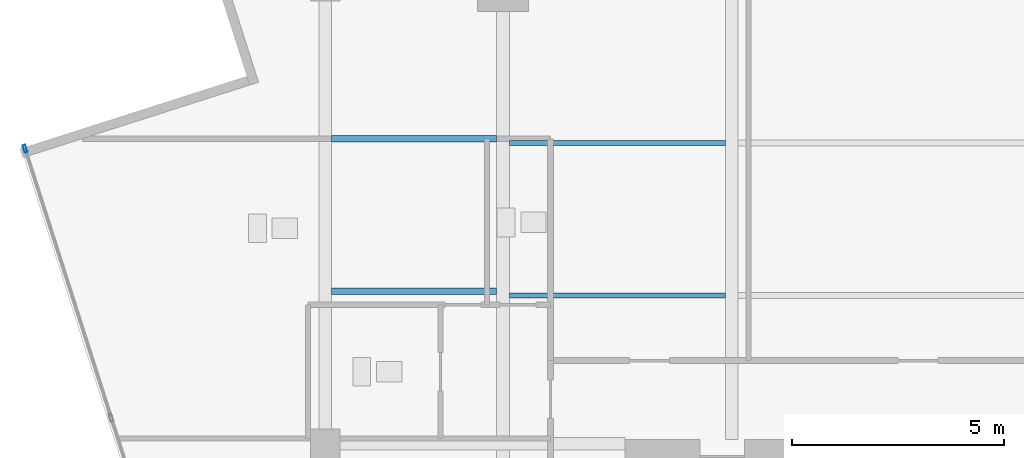
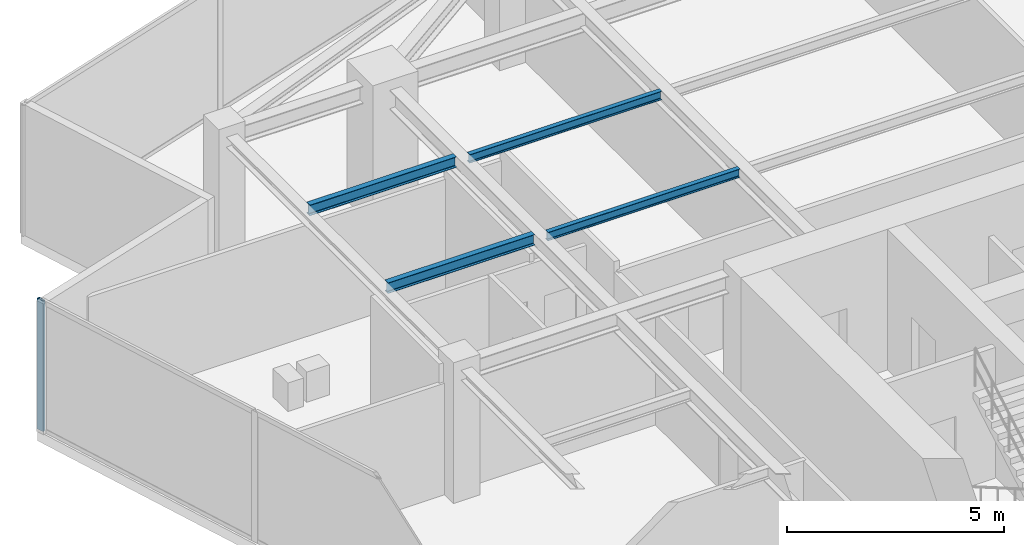
# One storey, part 7 of 21: 4 beams, 1 member, 1 element without a shape of its own.
"""IFC4 building model written with IfcOpenShell, lengths in metres."""

from ifc_helpers import new_model, si_unit, direction, frame, origin, origin_2d, place, context, subcontext, project, spatial, hollow_rectangle, i_section, extrude, source, transform, mapped, material, material_profile, profile_set, type_object, type_shapes, element, aggregate, save


model = new_model("IFC4")

# Units and contexts
model_context = context("Model", 3, precision=1e-05, world=origin(), true_north=direction((0.0, 1.0)))
body_context = subcontext(model_context, "Body", "Model", "MODEL_VIEW")
ifc_project = project(units=[si_unit("LENGTHUNIT", "METRE"), si_unit("AREAUNIT", "SQUARE_METRE"), si_unit("VOLUMEUNIT", "CUBIC_METRE"), si_unit("PLANEANGLEUNIT", "RADIAN"), si_unit("MASSUNIT", "GRAM", prefix="KILO")], contexts=[model_context])

# Site, building, storey
site_placement = place(None, origin())
site = spatial("IfcSite", under=ifc_project, at=site_placement, CompositionType="ELEMENT")
building_placement = place(site_placement, origin())
building = spatial("IfcBuilding", under=site, at=building_placement, Name="Krantzveldt Concourse Tower", CompositionType="ELEMENT")
storey_placement = place(building_placement, frame((0.0, 0.0, 339.550048828125)))
storey = spatial("IfcBuildingStorey", under=building, at=storey_placement, Name="L83", CompositionType="ELEMENT", Elevation=339.550048828125)

# Beams
ifc_material_1 = material(Name="Steel S355JR", Category="steel")
ifc_material_profile_1 = material_profile(ifc_material_1, i_section(OverallWidth=0.1201171875, OverallDepth=0.239990234375, WebThickness=0.006103515625, FlangeThickness=0.009765625, FilletRadius=0.014892578125, at=origin_2d()), Name="Steel S355JR", Category="steel")
ifc_profile_set_1 = profile_set([ifc_material_profile_1], Name="Steel S355JR - IPE 240")
beam_type_1 = type_object("IfcBeamType", Name="BM-LN-IPE240", PredefinedType="LINTEL", material=ifc_profile_set_1)
shared_shape_1 = source(origin(), body_context, "Body", "SweptSolid", [
    extrude(i_section(OverallWidth=0.1201171875, OverallDepth=0.239990234375, WebThickness=0.006103515625, FlangeThickness=0.009765625, FilletRadius=0.014892578125, at=origin_2d()), origin(), (0.0, 0.0, 1.0), 5.099853515625),
])
type_shapes(beam_type_1, [shared_shape_1])
for number, where, z_axis, x_axis, name in (
    (1, (25.35009765625, 30.199951171875, 3.550048828125), (1.0, 0.0, 0.0), (0.0, 1.0, 0.0), "L83 Secondary Floor Joist JN-W1"),
    (2, (25.35009765625, 33.800048828125, 3.550048828125), (1.0, 0.0, 0.0), (0.0, 1.0, 0.0), "L83 Secondary Floor Joist JN-W2"),
):
    element("IfcBeam", number, at=place(storey_placement, frame(where, z_axis=z_axis, x_axis=x_axis)), inside=storey, type_object=beam_type_1, Name=name, PredefinedType="LINTEL", context=body_context, shape_type="MappedRepresentation", body=[
        mapped(shared_shape_1, transform((0.0, 0.0, 0.0), x_axis=(1.0, 0.0, 0.0), y_axis=(0.0, 1.0, 0.0), z_axis=(0.0, 0.0, 1.0), scale=1.0)),
    ])
ifc_material_profile_2 = material_profile(ifc_material_1, i_section(OverallWidth=0.14990234375, OverallDepth=0.300048828125, WebThickness=0.007080078125, FlangeThickness=0.0107421875, FilletRadius=0.014892578125, at=origin_2d()), Name="Steel S355JR", Category="steel")
ifc_profile_set_2 = profile_set([ifc_material_profile_2], Name="Steel S355JR - IPE 300")
beam_type_2 = type_object("IfcBeamType", Name="BM-J-IPE300", PredefinedType="JOIST", material=ifc_profile_set_2)
shared_shape_2 = source(origin(), body_context, "Body", "SweptSolid", [
    extrude(i_section(OverallWidth=0.14990234375, OverallDepth=0.300048828125, WebThickness=0.007080078125, FlangeThickness=0.0107421875, FilletRadius=0.014892578125, at=origin_2d()), origin(), (0.0, 0.0, 1.0), 3.900146484375),
])
type_shapes(beam_type_2, [shared_shape_2])
for number, where, z_axis, x_axis, name in (
    (3, (21.14990234375, 30.300048828125, 3.52001953125), (1.0, 0.0, 0.0), (0.0, 1.0, 0.0), "L83 Secondary Floor Joist JW-3"),
    (4, (21.14990234375, 33.89990234375, 3.52001953125), (1.0, 0.0, 0.0), (0.0, 1.0, 0.0), "L83 Secondary Floor Joist JW-4"),
):
    element("IfcBeam", number, at=place(storey_placement, frame(where, z_axis=z_axis, x_axis=x_axis)), inside=storey, type_object=beam_type_2, Name=name, PredefinedType="JOIST", context=body_context, shape_type="MappedRepresentation", body=[
        mapped(shared_shape_2, transform((0.0, 0.0, 0.0), x_axis=(1.0, 0.0, 0.0), y_axis=(0.0, 1.0, 0.0), z_axis=(0.0, 0.0, 1.0), scale=1.0)),
    ])

# Curtain wall, member
ifc_material_2 = material(Name="Anodised aluminium 6063-T6", Category="aluminium")
curtain_wall_type = type_object("IfcCurtainWallType", Name="CW4", PredefinedType="USERDEFINED", material=ifc_material_2)
curtain_wall_placement = place(storey_placement, origin())
curtain_wall = element("IfcCurtainWall", 5, at=curtain_wall_placement, inside=storey, type_object=curtain_wall_type, Name="CW-L83-F04", ObjectType="UNITISED CURTAIN WALL", PredefinedType="USERDEFINED")
ifc_material_profile_3 = material_profile(ifc_material_2, hollow_rectangle(XDim=0.070068359375, YDim=0.179931640625, WallThickness=0.0048828125, at=origin_2d()), Name="Anodised aluminium 6063-T6", Category="aluminium")
ifc_profile_set_3 = profile_set([ifc_material_profile_3], Name="Anodised aluminium 6063-T6 - ALU-MULL 180x70x5")
member_type = type_object("IfcMemberType", Name="CW-MUL-180", PredefinedType="MULLION", material=ifc_profile_set_3)
shared_shape_3 = source(origin(), body_context, "Body", "SweptSolid", [
    extrude(hollow_rectangle(XDim=0.070068359375, YDim=0.179931640625, WallThickness=0.0048828125, at=origin_2d()), origin(), (0.0, 0.0, 1.0), 3.669921875),
])
type_shapes(member_type, [shared_shape_3])
member_placement = place(storey_placement, frame((13.915771484375, 33.663818359375, 0.0), z_axis=(0.0, 0.0, 1.0), x_axis=(0.952395843376, 0.304864162408, 0.0)))
member = element("IfcMember", 6, at=member_placement, type_object=member_type, Name="CW-Z56 mullion 1", PredefinedType="MULLION", context=body_context, shape_type="MappedRepresentation", body=[
    mapped(shared_shape_3, transform((0.0, 0.0, 0.0), x_axis=(1.0, 0.0, 0.0), y_axis=(0.0, 1.0, 0.0), z_axis=(0.0, 0.0, 1.0), scale=1.0)),
])
aggregate(curtain_wall, [member])

save(model, "model.ifc")
